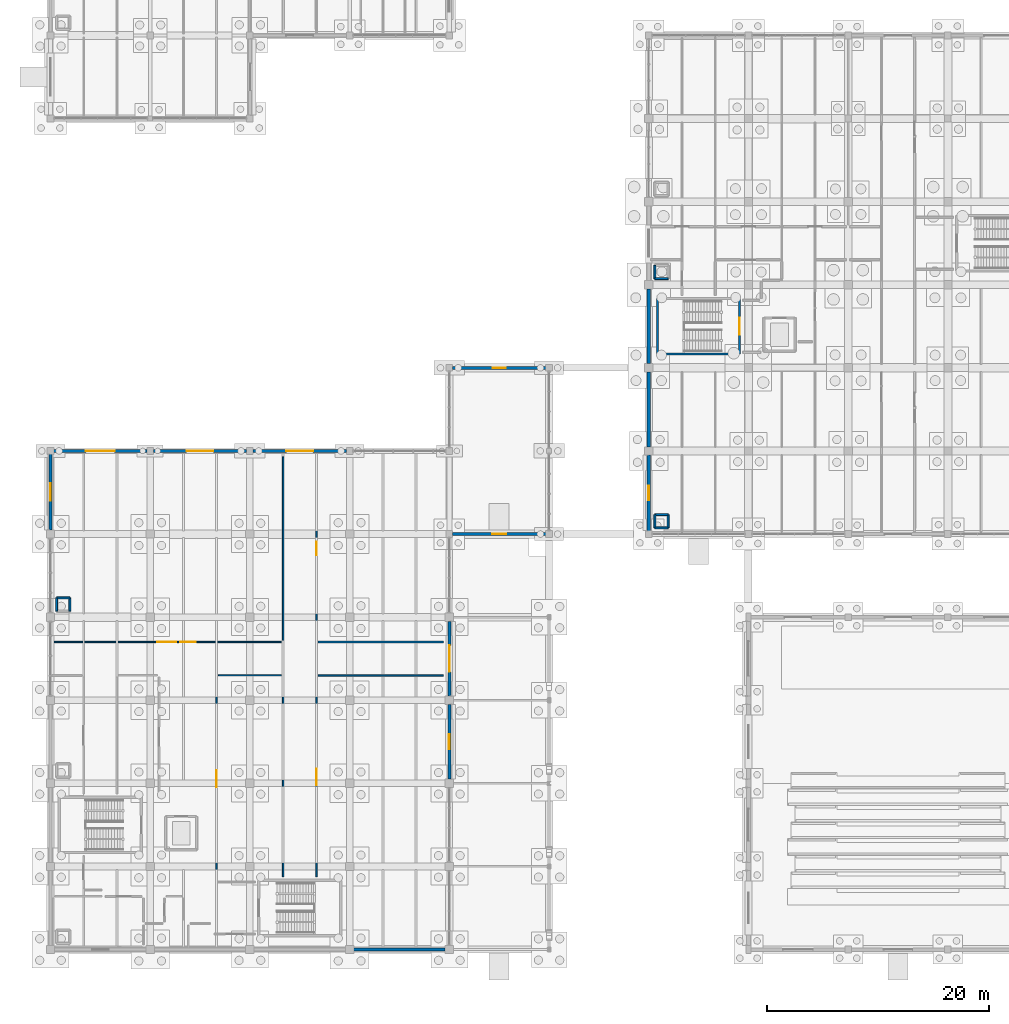
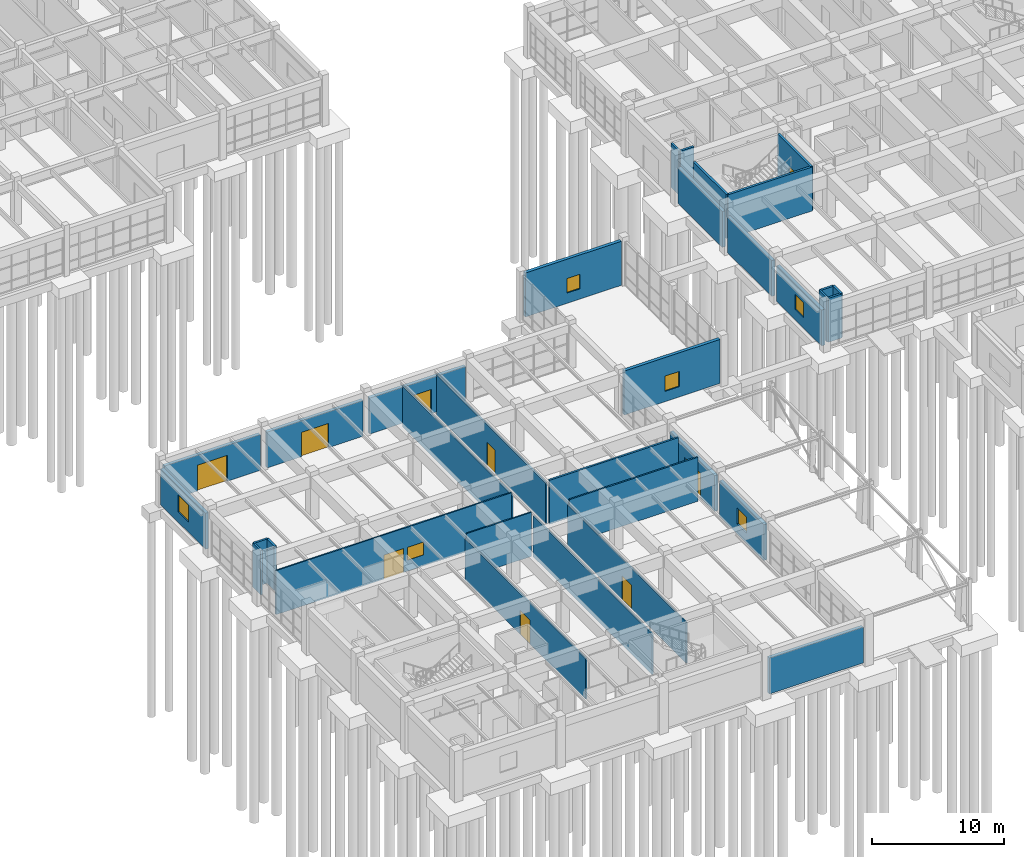
# One storey, part 79 of 93: 33 walls, 9 doors, 6 windows, 15 openings.
"""IFC4 building model written with IfcOpenShell, lengths in metres."""

from ifc_helpers import new_model, si_unit, direction, frame, frame_2d, origin, place, context, subcontext, project, spatial, rectangle, extrude, material, layer, layer_set, type_object, element, fill, save


model = new_model("IFC4")

# Units and contexts
model_context = context("Model", 3, precision=1e-05, world=origin(), true_north=direction((0.0, 1.0)))
body_context = subcontext(model_context, "Body", "Model", "MODEL_VIEW")
ifc_project = project(units=[si_unit("LENGTHUNIT", "METRE"), si_unit("AREAUNIT", "SQUARE_METRE"), si_unit("VOLUMEUNIT", "CUBIC_METRE"), si_unit("PLANEANGLEUNIT", "RADIAN"), si_unit("MASSUNIT", "GRAM", prefix="KILO")], contexts=[model_context])

# Site, building, storey
site_placement = place(None, origin())
site = spatial("IfcSite", under=ifc_project, at=site_placement, CompositionType="ELEMENT")
building_placement = place(site_placement, origin())
building = spatial("IfcBuilding", under=site, at=building_placement, Name="Marnridge Secondary College", CompositionType="ELEMENT")
storey_placement = place(building_placement, origin())
storey = spatial("IfcBuildingStorey", under=building, at=storey_placement, Name="L00", CompositionType="ELEMENT", Elevation=0.0)

# Wall
ifc_material_1 = material(Name="Concrete C40/50 (AS 3600 N40, 40 MPa)", Category="concrete")
ifc_layer_1 = layer(ifc_material_1, 0.199951171875)
ifc_layer_set_1 = layer_set([ifc_layer_1], Name="WT-CORE-RC200")
wall_type_1 = type_object("IfcWallType", Name="WT-CORE-RC200", PredefinedType="SHEAR", material=ifc_layer_set_1)
wall_1_placement = place(storey_placement, frame((54.800048828125, 53.75, 0.0), z_axis=(0.0, 0.0, 1.0), x_axis=(1.0, 0.0, 0.0)))
element("IfcWall", 1, at=wall_1_placement, inside=storey, type_object=wall_type_1, Name="Stair core shear wall WC-L00-0249", PredefinedType="SHEAR", context=body_context, shape_type="SweptSolid", body=[
    extrude(rectangle(XDim=7.39990234375, YDim=0.199951171875, at=frame_2d((3.699951171875, 0.0))), origin(), (0.0, 0.0, 1.0), 4.080078125),
])

# Wall, opening, door
wall_2_placement = place(storey_placement, frame((62.199951171875, 58.75, 0.0), z_axis=(0.0, 0.0, 1.0), x_axis=(0.0, -1.0, 0.0)))
wall_2 = element("IfcWall", 2, at=wall_2_placement, inside=storey, type_object=wall_type_1, Name="Stair core shear wall WC-L00-0250", PredefinedType="SHEAR", context=body_context, shape_type="SweptSolid", body=[
    extrude(rectangle(XDim=5.0, YDim=0.199951171875, at=frame_2d((2.5, 0.0))), origin(), (0.0, 0.0, 1.0), 4.080078125),
])
opening_1_placement = place(wall_2_placement, frame((1.75, 0.0, 0.0)))
opening_1 = element("IfcOpeningElement", 3, at=opening_1_placement, cuts=wall_2, Name="Opening DC-L00-001", PredefinedType="OPENING", context=body_context, shape_type="SweptSolid", body=[
    extrude(rectangle(XDim=1.5, YDim=2.14990234375, at=frame_2d((0.75, 1.074951171875))), frame((0.0, 0.10986328125, 0.0), z_axis=(0.0, -1.0, 0.0), x_axis=(1.0, 0.0, 0.0)), (0.0, 0.0, 1.0), 0.219970703125),
])
ifc_material_2 = material(Name="Fire-rated solid-core timber doorset", Category="wood")
door_type_1 = type_object("IfcDoorType", Name="DT-CORE-FD150", OperationType="DOUBLE_DOOR_SINGLE_SWING", PredefinedType="DOOR", material=ifc_material_2)
door_1_placement = place(opening_1_placement, origin())
door_1 = element("IfcDoor", 4, at=door_1_placement, inside=storey, type_object=door_type_1, Name="Fire stair door DC-L00-001", OperationType="DOUBLE_DOOR_SINGLE_SWING", OverallHeight=2.14990234375, OverallWidth=1.5, PredefinedType="DOOR", context=body_context, shape_type="SweptSolid", body=[
    extrude(rectangle(XDim=1.5, YDim=2.14990234375, at=frame_2d((0.75, 1.074951171875))), frame((0.0, 0.02490234375, 0.0), z_axis=(0.0, -1.0, 0.0), x_axis=(1.0, 0.0, 0.0)), (0.0, 0.0, 1.0), 0.050048828125),
])
fill(opening_1, door_1)

# Wall
wall_3_placement = place(storey_placement, frame((54.800048828125, 58.75, 0.0), z_axis=(0.0, 0.0, 1.0), x_axis=(0.0, -1.0, 0.0)))
element("IfcWall", 5, at=wall_3_placement, inside=storey, type_object=wall_type_1, Name="Stair core shear wall WC-L00-0252", PredefinedType="SHEAR", context=body_context, shape_type="SweptSolid", body=[
    extrude(rectangle(XDim=5.0, YDim=0.199951171875, at=frame_2d((2.5, 0.0))), origin(), (0.0, 0.0, 1.0), 4.080078125),
])

# Wall, opening, window
ifc_material_3 = material(Name="Concrete C40/50 (AS 3600 N40, 40 MPa)", Category="concrete")
ifc_layer_2 = layer(ifc_material_3, 0.280029296875)
ifc_layer_set_2 = layer_set([ifc_layer_2], Name="WT-EXT-RC280")
wall_type_2 = type_object("IfcWallType", Name="WT-EXT-RC280", PredefinedType="SOLIDWALL", material=ifc_layer_set_2)
wall_4_placement = place(storey_placement, frame((54.0, 37.7958984375, 0.0), z_axis=(0.0, 0.0, 1.0), x_axis=(0.0, 1.0, 0.0)))
wall_4 = element("IfcWall", 6, at=wall_4_placement, inside=storey, type_object=wall_type_2, Name="Exterior wall WE-L00-0009", PredefinedType="SOLIDWALL", context=body_context, shape_type="SweptSolid", body=[
    extrude(rectangle(XDim=6.8330078125, YDim=0.280029296875, at=frame_2d((3.41650390625, 0.0))), origin(), (0.0, 0.0, 1.0), 3.322021484375),
])
opening_2_placement = place(wall_4_placement, frame((2.776611328125, 0.0, 0.949951171875)))
opening_2 = element("IfcOpeningElement", 7, at=opening_2_placement, cuts=wall_4, Name="Opening WN-L00-0002", PredefinedType="OPENING", context=body_context, shape_type="SweptSolid", body=[
    extrude(rectangle(XDim=1.280029296875, YDim=1.419921875, at=frame_2d((0.64013671875, 0.7099609375))), frame((0.0, 0.14990234375, 0.0), z_axis=(0.0, -1.0, 0.0), x_axis=(1.0, 0.0, 0.0)), (0.0, 0.0, 1.0), 0.300048828125),
])
ifc_material_4 = material(Name="Solar-control low-E double glazing", Category="glass")
window_type_1 = type_object("IfcWindowType", Name="WN-EXT-V02", PartitioningType="DOUBLE_PANEL_VERTICAL", PredefinedType="WINDOW", material=ifc_material_4)
window_1_placement = place(opening_2_placement, origin())
window_1 = element("IfcWindow", 8, at=window_1_placement, inside=storey, type_object=window_type_1, Name="Facade window WN-L00-0002", OverallHeight=1.419921875, OverallWidth=1.280029296875, PartitioningType="DOUBLE_PANEL_VERTICAL", PredefinedType="WINDOW", context=body_context, shape_type="SweptSolid", body=[
    extrude(rectangle(XDim=1.280029296875, YDim=1.419921875, at=frame_2d((0.64013671875, 0.7099609375))), frame((0.0, 0.030029296875, 0.0), z_axis=(0.0, -1.0, 0.0), x_axis=(1.0, 0.0, 0.0)), (0.0, 0.0, 1.0), 0.06005859375),
])
fill(opening_2, window_1)

# Walls
for number, where, z_axis, x_axis, name in (
    (9, (54.0, 45.37109375, 0.0), (0.0, 0.0, 1.0), (0.0, 1.0, 0.0), "Exterior wall WE-L00-0010"),
    (10, (54.0, 52.87109375, 0.0), (0.0, 0.0, 1.0), (0.0, 1.0, 0.0), "Exterior wall WE-L00-0011"),
):
    element("IfcWall", number, at=place(storey_placement, frame(where, z_axis=z_axis, x_axis=x_axis)), inside=storey, type_object=wall_type_2, Name=name, PredefinedType="SOLIDWALL", context=body_context, shape_type="SweptSolid", body=[
        extrude(rectangle(XDim=6.7578125, YDim=0.280029296875, at=frame_2d((3.37890625, 0.0))), origin(), (0.0, 0.0, 1.0), 3.322021484375),
    ])

# Wall, opening, door
wall_5_placement = place(storey_placement, frame((0.2958984375, 45.0, 0.0), z_axis=(0.0, 0.0, 1.0), x_axis=(1.0, 0.0, 0.0)))
wall_5 = element("IfcWall", 11, at=wall_5_placement, inside=storey, type_object=wall_type_2, Name="Exterior wall WE-L00-0067", PredefinedType="SOLIDWALL", context=body_context, shape_type="SweptSolid", body=[
    extrude(rectangle(XDim=8.408203125, YDim=0.280029296875, at=frame_2d((4.2041015625, 0.0))), origin(), (0.0, 0.0, 1.0), 3.33203125),
])
opening_3_placement = place(wall_5_placement, frame((2.904052734375, 0.0, 0.0)))
opening_3 = element("IfcOpeningElement", 12, at=opening_3_placement, cuts=wall_5, Name="Opening DE-L00-022", PredefinedType="OPENING", context=body_context, shape_type="SweptSolid", body=[
    extrude(rectangle(XDim=2.60009765625, YDim=2.39990234375, at=frame_2d((1.300048828125, 1.199951171875))), frame((0.0, 0.14990234375, 0.0), z_axis=(0.0, -1.0, 0.0), x_axis=(1.0, 0.0, 0.0)), (0.0, 0.0, 1.0), 0.300048828125),
])
ifc_material_5 = material(Name="Bronze-anodised aluminium civic entrance doorset", Category="aluminium")
door_type_2 = type_object("IfcDoorType", Name="DT-EXT-MAIN260", OperationType="DOUBLE_DOOR_SINGLE_SWING", PredefinedType="DOOR", material=ifc_material_5)
door_2_placement = place(opening_3_placement, origin())
door_2 = element("IfcDoor", 13, at=door_2_placement, inside=storey, type_object=door_type_2, Name="Civic entrance exit door DE-L00-022", OperationType="DOUBLE_DOOR_SINGLE_SWING", OverallHeight=2.39990234375, OverallWidth=2.60009765625, PredefinedType="DOOR", context=body_context, shape_type="SweptSolid", body=[
    extrude(rectangle(XDim=2.60009765625, YDim=2.39990234375, at=frame_2d((1.300048828125, 1.199951171875))), frame((0.0, 0.02490234375, 0.0), z_axis=(0.0, -1.0, 0.0), x_axis=(1.0, 0.0, 0.0)), (0.0, 0.0, 1.0), 0.050048828125),
])
fill(opening_3, door_2)

wall_6_placement = place(storey_placement, frame((9.2958984375, 45.0, 0.0), z_axis=(0.0, 0.0, 1.0), x_axis=(1.0, 0.0, 0.0)))
wall_6 = element("IfcWall", 14, at=wall_6_placement, inside=storey, type_object=wall_type_2, Name="Exterior wall WE-L00-0068", PredefinedType="SOLIDWALL", context=body_context, shape_type="SweptSolid", body=[
    extrude(rectangle(XDim=8.408203125, YDim=0.280029296875, at=frame_2d((4.2041015625, 0.0))), origin(), (0.0, 0.0, 1.0), 3.33203125),
])
opening_4_placement = place(wall_6_placement, frame((3.00390625, 0.0, 0.0)))
opening_4 = element("IfcOpeningElement", 15, at=opening_4_placement, cuts=wall_6, Name="Opening DE-L00-023", PredefinedType="OPENING", context=body_context, shape_type="SweptSolid", body=[
    extrude(rectangle(XDim=2.39990234375, YDim=2.25, at=frame_2d((1.199951171875, 1.125))), frame((0.0, 0.14990234375, 0.0), z_axis=(0.0, -1.0, 0.0), x_axis=(1.0, 0.0, 0.0)), (0.0, 0.0, 1.0), 0.300048828125),
])
ifc_material_6 = material(Name="Thermally broken aluminium and toughened glass", Category="aluminium")
door_type_3 = type_object("IfcDoorType", Name="DT-EXT-EXIT240", OperationType="DOUBLE_DOOR_SINGLE_SWING", PredefinedType="DOOR", material=ifc_material_6)
door_3_placement = place(opening_4_placement, origin())
door_3 = element("IfcDoor", 16, at=door_3_placement, inside=storey, type_object=door_type_3, Name="Civic entrance exit door DE-L00-023", OperationType="DOUBLE_DOOR_SINGLE_SWING", OverallHeight=2.25, OverallWidth=2.39990234375, PredefinedType="DOOR", context=body_context, shape_type="SweptSolid", body=[
    extrude(rectangle(XDim=2.39990234375, YDim=2.25, at=frame_2d((1.199951171875, 1.125))), frame((0.0, 0.02490234375, 0.0), z_axis=(0.0, -1.0, 0.0), x_axis=(1.0, 0.0, 0.0)), (0.0, 0.0, 1.0), 0.050048828125),
])
fill(opening_4, door_3)

wall_7_placement = place(storey_placement, frame((18.2958984375, 45.0, 0.0), z_axis=(0.0, 0.0, 1.0), x_axis=(1.0, 0.0, 0.0)))
wall_7 = element("IfcWall", 17, at=wall_7_placement, inside=storey, type_object=wall_type_2, Name="Exterior wall WE-L00-0069", PredefinedType="SOLIDWALL", context=body_context, shape_type="SweptSolid", body=[
    extrude(rectangle(XDim=8.408203125, YDim=0.280029296875, at=frame_2d((4.2041015625, 0.0))), origin(), (0.0, 0.0, 1.0), 3.33203125),
])
opening_5_placement = place(wall_7_placement, frame((3.00390625, 0.0, 0.0)))
opening_5 = element("IfcOpeningElement", 18, at=opening_5_placement, cuts=wall_7, Name="Opening DE-L00-024", PredefinedType="OPENING", context=body_context, shape_type="SweptSolid", body=[
    extrude(rectangle(XDim=2.39990234375, YDim=2.25, at=frame_2d((1.199951171875, 1.125))), frame((0.0, 0.14990234375, 0.0), z_axis=(0.0, -1.0, 0.0), x_axis=(1.0, 0.0, 0.0)), (0.0, 0.0, 1.0), 0.300048828125),
])
door_4_placement = place(opening_5_placement, origin())
door_4 = element("IfcDoor", 19, at=door_4_placement, inside=storey, type_object=door_type_3, Name="Civic entrance exit door DE-L00-024", OperationType="DOUBLE_DOOR_SINGLE_SWING", OverallHeight=2.25, OverallWidth=2.39990234375, PredefinedType="DOOR", context=body_context, shape_type="SweptSolid", body=[
    extrude(rectangle(XDim=2.39990234375, YDim=2.25, at=frame_2d((1.199951171875, 1.125))), frame((0.0, 0.02490234375, 0.0), z_axis=(0.0, -1.0, 0.0), x_axis=(1.0, 0.0, 0.0)), (0.0, 0.0, 1.0), 0.050048828125),
])
fill(opening_5, door_4)

# Wall, opening, window
wall_8_placement = place(storey_placement, frame((36.2958984375, 52.5, 0.0), z_axis=(0.0, 0.0, 1.0), x_axis=(1.0, 0.0, 0.0)))
wall_8 = element("IfcWall", 20, at=wall_8_placement, inside=storey, type_object=wall_type_2, Name="Exterior wall WE-L00-0070", PredefinedType="SOLIDWALL", context=body_context, shape_type="SweptSolid", body=[
    extrude(rectangle(XDim=8.408203125, YDim=0.280029296875, at=frame_2d((4.2041015625, 0.0))), origin(), (0.0, 0.0, 1.0), 4.090087890625),
])
opening_6_placement = place(wall_8_placement, frame((3.62890625, 0.0, 0.949951171875)))
opening_6 = element("IfcOpeningElement", 21, at=opening_6_placement, cuts=wall_8, Name="Opening WN-L00-0023", PredefinedType="OPENING", context=body_context, shape_type="SweptSolid", body=[
    extrude(rectangle(XDim=1.14990234375, YDim=1.35009765625, at=frame_2d((0.574951171875, 0.675048828125))), frame((0.0, 0.14990234375, 0.0), z_axis=(0.0, -1.0, 0.0), x_axis=(1.0, 0.0, 0.0)), (0.0, 0.0, 1.0), 0.300048828125),
])
ifc_material_7 = material(Name="Solar-control low-E double glazing", Category="glass")
window_type_2 = type_object("IfcWindowType", Name="WN-EXT-V01", PartitioningType="DOUBLE_PANEL_VERTICAL", PredefinedType="WINDOW", material=ifc_material_7)
window_2_placement = place(opening_6_placement, origin())
window_2 = element("IfcWindow", 22, at=window_2_placement, inside=storey, type_object=window_type_2, Name="Facade window WN-L00-0023", OverallHeight=1.35009765625, OverallWidth=1.14990234375, PartitioningType="DOUBLE_PANEL_VERTICAL", PredefinedType="WINDOW", context=body_context, shape_type="SweptSolid", body=[
    extrude(rectangle(XDim=1.14990234375, YDim=1.35009765625, at=frame_2d((0.574951171875, 0.675048828125))), frame((0.0, 0.030029296875, 0.0), z_axis=(0.0, -1.0, 0.0), x_axis=(1.0, 0.0, 0.0)), (0.0, 0.0, 1.0), 0.06005859375),
])
fill(opening_6, window_2)

wall_9_placement = place(storey_placement, frame((44.7041015625, 37.5, 0.0), z_axis=(0.0, 0.0, 1.0), x_axis=(-1.0, 0.0, 0.0)))
wall_9 = element("IfcWall", 23, at=wall_9_placement, inside=storey, type_object=wall_type_2, Name="Exterior wall WE-L00-0071", PredefinedType="SOLIDWALL", context=body_context, shape_type="SweptSolid", body=[
    extrude(rectangle(XDim=8.408203125, YDim=0.280029296875, at=frame_2d((4.2041015625, 0.0))), origin(), (0.0, 0.0, 1.0), 4.090087890625),
])
opening_7_placement = place(wall_9_placement, frame((3.56396484375, 0.0, 0.949951171875)))
opening_7 = element("IfcOpeningElement", 24, at=opening_7_placement, cuts=wall_9, Name="Opening WN-L00-0024", PredefinedType="OPENING", context=body_context, shape_type="SweptSolid", body=[
    extrude(rectangle(XDim=1.280029296875, YDim=1.419921875, at=frame_2d((0.64013671875, 0.7099609375))), frame((0.0, 0.14990234375, 0.0), z_axis=(0.0, -1.0, 0.0), x_axis=(1.0, 0.0, 0.0)), (0.0, 0.0, 1.0), 0.300048828125),
])
window_3_placement = place(opening_7_placement, origin())
window_3 = element("IfcWindow", 25, at=window_3_placement, inside=storey, type_object=window_type_1, Name="Facade window WN-L00-0024", OverallHeight=1.419921875, OverallWidth=1.280029296875, PartitioningType="DOUBLE_PANEL_VERTICAL", PredefinedType="WINDOW", context=body_context, shape_type="SweptSolid", body=[
    extrude(rectangle(XDim=1.280029296875, YDim=1.419921875, at=frame_2d((0.64013671875, 0.7099609375))), frame((0.0, 0.030029296875, 0.0), z_axis=(0.0, -1.0, 0.0), x_axis=(1.0, 0.0, 0.0)), (0.0, 0.0, 1.0), 0.06005859375),
])
fill(opening_7, window_3)

# Wall, opening, door
wall_10_placement = place(storey_placement, frame((36.0, 29.62890625, 0.0), z_axis=(0.0, 0.0, 1.0), x_axis=(0.0, -1.0, 0.0)))
wall_10 = element("IfcWall", 26, at=wall_10_placement, inside=storey, type_object=wall_type_2, Name="Exterior wall WE-L00-0072", PredefinedType="SOLIDWALL", context=body_context, shape_type="SweptSolid", body=[
    extrude(rectangle(XDim=6.7578125, YDim=0.280029296875, at=frame_2d((3.37890625, 0.0))), origin(), (0.0, 0.0, 1.0), 3.33203125),
])
opening_8_placement = place(wall_10_placement, frame((2.178955078125, 0.0, 0.0)))
opening_8 = element("IfcOpeningElement", 27, at=opening_8_placement, cuts=wall_10, Name="Opening DE-L00-025", PredefinedType="OPENING", context=body_context, shape_type="SweptSolid", body=[
    extrude(rectangle(XDim=2.39990234375, YDim=2.25, at=frame_2d((1.199951171875, 1.125))), frame((0.0, 0.14990234375, 0.0), z_axis=(0.0, -1.0, 0.0), x_axis=(1.0, 0.0, 0.0)), (0.0, 0.0, 1.0), 0.300048828125),
])
door_5_placement = place(opening_8_placement, origin())
door_5 = element("IfcDoor", 28, at=door_5_placement, inside=storey, type_object=door_type_3, Name="Civic entrance exit door DE-L00-025", OperationType="DOUBLE_DOOR_SINGLE_SWING", OverallHeight=2.25, OverallWidth=2.39990234375, PredefinedType="DOOR", context=body_context, shape_type="SweptSolid", body=[
    extrude(rectangle(XDim=2.39990234375, YDim=2.25, at=frame_2d((1.199951171875, 1.125))), frame((0.0, 0.02490234375, 0.0), z_axis=(0.0, -1.0, 0.0), x_axis=(1.0, 0.0, 0.0)), (0.0, 0.0, 1.0), 0.050048828125),
])
fill(opening_8, door_5)

# Wall, opening, window
wall_11_placement = place(storey_placement, frame((36.0, 22.12890625, 0.0), z_axis=(0.0, 0.0, 1.0), x_axis=(0.0, -1.0, 0.0)))
wall_11 = element("IfcWall", 29, at=wall_11_placement, inside=storey, type_object=wall_type_2, Name="Exterior wall WE-L00-0073", PredefinedType="SOLIDWALL", context=body_context, shape_type="SweptSolid", body=[
    extrude(rectangle(XDim=6.7578125, YDim=0.280029296875, at=frame_2d((3.37890625, 0.0))), origin(), (0.0, 0.0, 1.0), 3.33203125),
])
opening_9_placement = place(wall_11_placement, frame((2.68896484375, 0.0, 0.949951171875)))
opening_9 = element("IfcOpeningElement", 30, at=opening_9_placement, cuts=wall_11, Name="Opening WN-L00-0025", PredefinedType="OPENING", context=body_context, shape_type="SweptSolid", body=[
    extrude(rectangle(XDim=1.3798828125, YDim=1.47998046875, at=frame_2d((0.68994140625, 0.739990234375))), frame((0.0, 0.14990234375, 0.0), z_axis=(0.0, -1.0, 0.0), x_axis=(1.0, 0.0, 0.0)), (0.0, 0.0, 1.0), 0.300048828125),
])
ifc_material_8 = material(Name="Solar-control low-E double glazing", Category="glass")
window_type_3 = type_object("IfcWindowType", Name="WN-EXT-V03", PartitioningType="DOUBLE_PANEL_VERTICAL", PredefinedType="WINDOW", material=ifc_material_8)
window_4_placement = place(opening_9_placement, origin())
window_4 = element("IfcWindow", 31, at=window_4_placement, inside=storey, type_object=window_type_3, Name="Facade window WN-L00-0025", OverallHeight=1.47998046875, OverallWidth=1.3798828125, PartitioningType="DOUBLE_PANEL_VERTICAL", PredefinedType="WINDOW", context=body_context, shape_type="SweptSolid", body=[
    extrude(rectangle(XDim=1.3798828125, YDim=1.47998046875, at=frame_2d((0.68994140625, 0.739990234375))), frame((0.0, 0.030029296875, 0.0), z_axis=(0.0, -1.0, 0.0), x_axis=(1.0, 0.0, 0.0)), (0.0, 0.0, 1.0), 0.06005859375),
])
fill(opening_9, window_4)

# Wall
wall_12_placement = place(storey_placement, frame((35.62890625, 0.0, 0.0), z_axis=(0.0, 0.0, 1.0), x_axis=(-1.0, 0.0, 0.0)))
element("IfcWall", 32, at=wall_12_placement, inside=storey, type_object=wall_type_2, Name="Exterior wall WE-L00-0074", PredefinedType="SOLIDWALL", context=body_context, shape_type="SweptSolid", body=[
    extrude(rectangle(XDim=8.2578125, YDim=0.280029296875, at=frame_2d((4.12890625, 0.0))), origin(), (0.0, 0.0, 1.0), 3.33203125),
])

# Wall, opening, window
wall_13_placement = place(storey_placement, frame((0.0, 37.87109375, 0.0), z_axis=(0.0, 0.0, 1.0), x_axis=(0.0, 1.0, 0.0)))
wall_13 = element("IfcWall", 33, at=wall_13_placement, inside=storey, type_object=wall_type_2, Name="Exterior wall WE-L00-0081", PredefinedType="SOLIDWALL", context=body_context, shape_type="SweptSolid", body=[
    extrude(rectangle(XDim=6.8330078125, YDim=0.280029296875, at=frame_2d((3.41650390625, 0.0))), origin(), (0.0, 0.0, 1.0), 3.33203125),
])
opening_10_placement = place(wall_13_placement, frame((2.62646484375, 0.0, 0.949951171875)))
opening_10 = element("IfcOpeningElement", 34, at=opening_10_placement, cuts=wall_13, Name="Opening WN-L00-0027", PredefinedType="OPENING", context=body_context, shape_type="SweptSolid", body=[
    extrude(rectangle(XDim=1.580078125, YDim=1.56005859375, at=frame_2d((0.7900390625, 0.780029296875))), frame((0.0, 0.14990234375, 0.0), z_axis=(0.0, -1.0, 0.0), x_axis=(1.0, 0.0, 0.0)), (0.0, 0.0, 1.0), 0.300048828125),
])
ifc_material_9 = material(Name="Solar-control low-E double glazing", Category="glass")
window_type_4 = type_object("IfcWindowType", Name="WN-EXT-V05", PartitioningType="DOUBLE_PANEL_VERTICAL", PredefinedType="WINDOW", material=ifc_material_9)
window_5_placement = place(opening_10_placement, origin())
window_5 = element("IfcWindow", 35, at=window_5_placement, inside=storey, type_object=window_type_4, Name="Facade window WN-L00-0027", OverallHeight=1.56005859375, OverallWidth=1.580078125, PartitioningType="DOUBLE_PANEL_VERTICAL", PredefinedType="WINDOW", context=body_context, shape_type="SweptSolid", body=[
    extrude(rectangle(XDim=1.580078125, YDim=1.56005859375, at=frame_2d((0.7900390625, 0.780029296875))), frame((0.0, 0.030029296875, 0.0), z_axis=(0.0, -1.0, 0.0), x_axis=(1.0, 0.0, 0.0)), (0.0, 0.0, 1.0), 0.06005859375),
])
fill(opening_10, window_5)

# Wall, opening, door
ifc_material_10 = material(Name="Acoustic plasterboard partition Rw45", Category="gypsum")
ifc_layer_3 = layer(ifc_material_10, 0.1201171875)
ifc_layer_set_3 = layer_set([ifc_layer_3], Name="WT-PART-AC120")
wall_type_3 = type_object("IfcWallType", Name="WT-PART-AC120", PredefinedType="PARTITIONING", material=ifc_layer_set_3)
wall_14_placement = place(storey_placement, frame((24.0, 24.590087890625, 0.0), z_axis=(0.0, 0.0, 1.0), x_axis=(0.0, -1.0, 0.0)))
wall_14 = element("IfcWall", 36, at=wall_14_placement, inside=storey, type_object=wall_type_3, Name="Interior partition WP-L00-0111", PredefinedType="PARTITIONING", context=body_context, shape_type="SweptSolid", body=[
    extrude(rectangle(XDim=18.0400390625, YDim=0.1201171875, at=frame_2d((9.02001953125, 0.0))), origin(), (0.0, 0.0, 1.0), 3.77490234375),
])
opening_11_placement = place(wall_14_placement, frame((8.280029296875, 0.0, 0.0)))
opening_11 = element("IfcOpeningElement", 37, at=opening_11_placement, cuts=wall_14, Name="Opening DI-L00-0038", PredefinedType="OPENING", context=body_context, shape_type="SweptSolid", body=[
    extrude(rectangle(XDim=1.47998046875, YDim=2.199951171875, at=frame_2d((0.739990234375, 1.10009765625))), frame((0.0, 0.070068359375, 0.0), z_axis=(0.0, -1.0, 0.0), x_axis=(1.0, 0.0, 0.0)), (0.0, 0.0, 1.0), 0.14013671875),
])
ifc_material_11 = material(Name="Solid-core acoustic hoop-pine classroom doorset", Category="wood")
door_type_4 = type_object("IfcDoorType", Name="DT-RM-VAR14", OperationType="NOTDEFINED", PredefinedType="DOOR", material=ifc_material_11)
door_6_placement = place(opening_11_placement, origin())
door_6 = element("IfcDoor", 38, at=door_6_placement, inside=storey, type_object=door_type_4, Name="Interior door DI-L00-0038", OperationType="SINGLE_SWING_RIGHT", OverallHeight=2.199951171875, OverallWidth=1.47998046875, PredefinedType="DOOR", context=body_context, shape_type="SweptSolid", body=[
    extrude(rectangle(XDim=1.47998046875, YDim=2.199951171875, at=frame_2d((0.739990234375, 1.10009765625))), frame((0.0, 0.02490234375, 0.0), z_axis=(0.0, -1.0, 0.0), x_axis=(1.0, 0.0, 0.0)), (0.0, 0.0, 1.0), 0.050048828125),
])
fill(opening_11, door_6)

# Wall
wall_15_placement = place(storey_placement, frame((20.840087890625, 24.75, 0.0), z_axis=(0.0, 0.0, 1.0), x_axis=(-1.0, 0.0, 0.0)))
element("IfcWall", 39, at=wall_15_placement, inside=storey, type_object=wall_type_3, Name="Interior partition WP-L00-0113", PredefinedType="PARTITIONING", context=body_context, shape_type="SweptSolid", body=[
    extrude(rectangle(XDim=5.68017578125, YDim=0.1201171875, at=frame_2d((2.840087890625, 0.0))), origin(), (0.0, 0.0, 1.0), 4.090087890625),
])

# Wall, openings, door, window
wall_16_placement = place(storey_placement, frame((0.159912109375, 27.75, 0.0), z_axis=(0.0, 0.0, 1.0), x_axis=(1.0, 0.0, 0.0)))
wall_16 = element("IfcWall", 40, at=wall_16_placement, inside=storey, type_object=wall_type_3, Name="Interior partition WP-L00-0121", PredefinedType="PARTITIONING", context=body_context, shape_type="SweptSolid", body=[
    extrude(rectangle(XDim=20.68017578125, YDim=0.1201171875, at=frame_2d((10.340087890625, 0.0))), origin(), (0.0, 0.0, 1.0), 4.090087890625),
])
opening_12_placement = place(wall_16_placement, frame((9.489990234375, 0.0, 0.0)))
opening_12 = element("IfcOpeningElement", 41, at=opening_12_placement, cuts=wall_16, Name="Opening DI-L00-0042", PredefinedType="OPENING", context=body_context, shape_type="SweptSolid", body=[
    extrude(rectangle(XDim=1.699951171875, YDim=2.219970703125, at=frame_2d((0.85009765625, 1.10986328125))), frame((0.0, 0.070068359375, 0.0), z_axis=(0.0, -1.0, 0.0), x_axis=(1.0, 0.0, 0.0)), (0.0, 0.0, 1.0), 0.14013671875),
])
opening_13_placement = place(wall_16_placement, frame((11.5400390625, 0.0, 1.02001953125)))
opening_13 = element("IfcOpeningElement", 42, at=opening_13_placement, cuts=wall_16, Name="Opening WNI-L00-006", PredefinedType="OPENING", context=body_context, shape_type="SweptSolid", body=[
    extrude(rectangle(XDim=1.39990234375, YDim=1.199951171875, at=frame_2d((0.699951171875, 0.60009765625))), frame((0.0, 0.070068359375, 0.0), z_axis=(0.0, -1.0, 0.0), x_axis=(1.0, 0.0, 0.0)), (0.0, 0.0, 1.0), 0.14013671875),
])
ifc_material_12 = material(Name="Solid-core acoustic hoop-pine classroom doorset", Category="wood")
door_type_5 = type_object("IfcDoorType", Name="DT-RM-VAR18", OperationType="NOTDEFINED", PredefinedType="DOOR", material=ifc_material_12)
door_7_placement = place(opening_12_placement, origin())
door_7 = element("IfcDoor", 43, at=door_7_placement, inside=storey, type_object=door_type_5, Name="Interior door DI-L00-0042", OperationType="SINGLE_SWING_RIGHT", OverallHeight=2.219970703125, OverallWidth=1.699951171875, PredefinedType="DOOR", context=body_context, shape_type="SweptSolid", body=[
    extrude(rectangle(XDim=1.699951171875, YDim=2.219970703125, at=frame_2d((0.85009765625, 1.10986328125))), frame((0.0, 0.02490234375, 0.0), z_axis=(0.0, -1.0, 0.0), x_axis=(1.0, 0.0, 0.0)), (0.0, 0.0, 1.0), 0.050048828125),
])
fill(opening_12, door_7)
ifc_material_13 = material(Name="Acoustic laminated interior vision glazing", Category="glass")
window_type_5 = type_object("IfcWindowType", Name="WN-BL-VAR06", PartitioningType="DOUBLE_PANEL_VERTICAL", PredefinedType="WINDOW", material=ifc_material_13)
window_6_placement = place(opening_13_placement, origin())
window_6 = element("IfcWindow", 44, at=window_6_placement, inside=storey, type_object=window_type_5, Name="Interior vision window WNI-L00-006", OverallHeight=1.199951171875, OverallWidth=1.39990234375, PartitioningType="DOUBLE_PANEL_VERTICAL", PredefinedType="WINDOW", context=body_context, shape_type="SweptSolid", body=[
    extrude(rectangle(XDim=1.39990234375, YDim=1.199951171875, at=frame_2d((0.699951171875, 0.60009765625))), frame((0.0, 0.030029296875, 0.0), z_axis=(0.0, -1.0, 0.0), x_axis=(1.0, 0.0, 0.0)), (0.0, 0.0, 1.0), 0.06005859375),
])
fill(opening_13, window_6)

# Walls
ifc_material_14 = material(Name="Acoustic plasterboard partition Rw48", Category="gypsum")
ifc_layer_4 = layer(ifc_material_14, 0.135009765625)
ifc_layer_set_4 = layer_set([ifc_layer_4], Name="WT-PART-AC135")
wall_type_4 = type_object("IfcWallType", Name="WT-PART-AC135", PredefinedType="PARTITIONING", material=ifc_layer_set_4)
wall_17_placement = place(storey_placement, frame((35.456787109375, 24.75, 0.0), z_axis=(0.0, 0.0, 1.0), x_axis=(-1.0, 0.0, 0.0)))
element("IfcWall", 45, at=wall_17_placement, inside=storey, type_object=wall_type_4, Name="Interior partition WP-L00-0110", PredefinedType="PARTITIONING", context=body_context, shape_type="SweptSolid", body=[
    extrude(rectangle(XDim=11.296875, YDim=0.135009765625, at=frame_2d((5.6484375, 0.0))), origin(), (0.0, 0.0, 1.0), 4.090087890625),
])
wall_18_placement = place(storey_placement, frame((21.0, 6.550048828125, 0.0), z_axis=(0.0, 0.0, 1.0), x_axis=(0.0, 1.0, 0.0)))
element("IfcWall", 46, at=wall_18_placement, inside=storey, type_object=wall_type_4, Name="Interior partition WP-L00-0112", PredefinedType="PARTITIONING", context=body_context, shape_type="SweptSolid", body=[
    extrude(rectangle(XDim=18.0400390625, YDim=0.135009765625, at=frame_2d((9.02001953125, 0.0))), origin(), (0.0, 0.0, 1.0), 3.77490234375),
])

# Wall, opening, door
wall_19_placement = place(storey_placement, frame((15.0, 24.590087890625, 0.0), z_axis=(0.0, 0.0, 1.0), x_axis=(0.0, -1.0, 0.0)))
wall_19 = element("IfcWall", 47, at=wall_19_placement, inside=storey, type_object=wall_type_4, Name="Interior partition WP-L00-0114", PredefinedType="PARTITIONING", context=body_context, shape_type="SweptSolid", body=[
    extrude(rectangle(XDim=18.330078125, YDim=0.135009765625, at=frame_2d((9.1650390625, 0.0))), origin(), (0.0, 0.0, 1.0), 3.77490234375),
])
opening_14_placement = place(wall_19_placement, frame((8.39501953125, 0.0, 0.0)))
opening_14 = element("IfcOpeningElement", 48, at=opening_14_placement, cuts=wall_19, Name="Opening DI-L00-0039", PredefinedType="OPENING", context=body_context, shape_type="SweptSolid", body=[
    extrude(rectangle(XDim=1.5400390625, YDim=2.199951171875, at=frame_2d((0.77001953125, 1.10009765625))), frame((0.0, 0.077392578125, 0.0), z_axis=(0.0, -1.0, 0.0), x_axis=(1.0, 0.0, 0.0)), (0.0, 0.0, 1.0), 0.155029296875),
])
ifc_material_15 = material(Name="Solid-core acoustic hoop-pine classroom doorset", Category="wood")
door_type_6 = type_object("IfcDoorType", Name="DT-RM-VAR15", OperationType="NOTDEFINED", PredefinedType="DOOR", material=ifc_material_15)
door_8_placement = place(opening_14_placement, origin())
door_8 = element("IfcDoor", 49, at=door_8_placement, inside=storey, type_object=door_type_6, Name="Interior door DI-L00-0039", OperationType="SINGLE_SWING_LEFT", OverallHeight=2.199951171875, OverallWidth=1.5400390625, PredefinedType="DOOR", context=body_context, shape_type="SweptSolid", body=[
    extrude(rectangle(XDim=1.5400390625, YDim=2.199951171875, at=frame_2d((0.77001953125, 1.10009765625))), frame((0.0, 0.02490234375, 0.0), z_axis=(0.0, -1.0, 0.0), x_axis=(1.0, 0.0, 0.0)), (0.0, 0.0, 1.0), 0.050048828125),
])
fill(opening_14, door_8)

# Wall
wall_20_placement = place(storey_placement, frame((21.0, 27.909912109375, 0.0), z_axis=(0.0, 0.0, 1.0), x_axis=(0.0, 1.0, 0.0)))
element("IfcWall", 50, at=wall_20_placement, inside=storey, type_object=wall_type_4, Name="Interior partition WP-L00-0122", PredefinedType="PARTITIONING", context=body_context, shape_type="SweptSolid", body=[
    extrude(rectangle(XDim=16.546875, YDim=0.135009765625, at=frame_2d((8.2734375, 0.0))), origin(), (0.0, 0.0, 1.0), 3.77490234375),
])

# Wall, opening, door
ifc_material_16 = material(Name="Acoustic plasterboard on steel Grade 350 framing Rw50", Category="steel")
ifc_layer_5 = layer(ifc_material_16, 0.14990234375)
ifc_layer_set_5 = layer_set([ifc_layer_5], Name="WT-PART-AC150")
wall_type_5 = type_object("IfcWallType", Name="WT-PART-AC150", PredefinedType="PARTITIONING", material=ifc_layer_set_5)
wall_21_placement = place(storey_placement, frame((24.0, 44.456787109375, 0.0), z_axis=(0.0, 0.0, 1.0), x_axis=(0.0, -1.0, 0.0)))
wall_21 = element("IfcWall", 51, at=wall_21_placement, inside=storey, type_object=wall_type_5, Name="Interior partition WP-L00-0123", PredefinedType="PARTITIONING", context=body_context, shape_type="SweptSolid", body=[
    extrude(rectangle(XDim=16.546875, YDim=0.14990234375, at=frame_2d((8.2734375, 0.0))), origin(), (0.0, 0.0, 1.0), 3.77490234375),
])
opening_15_placement = place(wall_21_placement, frame((7.67333984375, 0.0, 0.0)))
opening_15 = element("IfcOpeningElement", 52, at=opening_15_placement, cuts=wall_21, Name="Opening DI-L00-0043", PredefinedType="OPENING", context=body_context, shape_type="SweptSolid", body=[
    extrude(rectangle(XDim=1.199951171875, YDim=2.14990234375, at=frame_2d((0.60009765625, 1.074951171875))), frame((0.0, 0.0849609375, 0.0), z_axis=(0.0, -1.0, 0.0), x_axis=(1.0, 0.0, 0.0)), (0.0, 0.0, 1.0), 0.169921875),
])
ifc_material_17 = material(Name="Galvanised steel Grade 350 plant-room fire doorset", Category="steel")
door_type_7 = type_object("IfcDoorType", Name="DT-PLT-120", OperationType="NOTDEFINED", PredefinedType="DOOR", material=ifc_material_17)
door_9_placement = place(opening_15_placement, origin())
door_9 = element("IfcDoor", 53, at=door_9_placement, inside=storey, type_object=door_type_7, Name="Interior door DI-L00-0043", OperationType="SINGLE_SWING_LEFT", OverallHeight=2.14990234375, OverallWidth=1.199951171875, PredefinedType="DOOR", context=body_context, shape_type="SweptSolid", body=[
    extrude(rectangle(XDim=1.199951171875, YDim=2.14990234375, at=frame_2d((0.60009765625, 1.074951171875))), frame((0.0, 0.02490234375, 0.0), z_axis=(0.0, -1.0, 0.0), x_axis=(1.0, 0.0, 0.0)), (0.0, 0.0, 1.0), 0.050048828125),
])
fill(opening_15, door_9)

# Walls
ifc_material_18 = material(Name="Acoustic plasterboard on twin steel Grade 350 framing Rw55", Category="steel")
ifc_layer_6 = layer(ifc_material_18, 0.1650390625)
ifc_layer_set_6 = layer_set([ifc_layer_6], Name="WT-PART-AC165")
wall_type_6 = type_object("IfcWallType", Name="WT-PART-AC165", PredefinedType="PARTITIONING", material=ifc_layer_set_6)
wall_22_placement = place(storey_placement, frame((24.159912109375, 27.75, 0.0), z_axis=(0.0, 0.0, 1.0), x_axis=(1.0, 0.0, 0.0)))
element("IfcWall", 54, at=wall_22_placement, inside=storey, type_object=wall_type_6, Name="Interior partition WP-L00-0124", PredefinedType="PARTITIONING", context=body_context, shape_type="SweptSolid", body=[
    extrude(rectangle(XDim=11.296875, YDim=0.1650390625, at=frame_2d((5.6484375, 0.0))), origin(), (0.0, 0.0, 1.0), 4.090087890625),
])
ifc_material_19 = material(Name="Concrete C40/50 (AS 3600 N40, 40 MPa)", Category="concrete")
ifc_layer_7 = layer(ifc_material_19, 0.179931640625)
ifc_layer_set_7 = layer_set([ifc_layer_7], Name="WT-SHAFT-RC180")
wall_type_7 = type_object("IfcWallType", Name="WT-SHAFT-RC180", PredefinedType="SHEAR", material=ifc_layer_set_7)
for number, where, z_axis, x_axis, name in (
    (55, (55.75, 38.050048828125, 0.0), (0.0, 0.0, 1.0), (-1.0, 0.0, 0.0), "Service riser shaft wall WR-L00-0001"),
    (56, (54.550048828125, 38.050048828125, 0.0), (0.0, 0.0, 1.0), (0.0, 1.0, 0.0), "Service riser shaft wall WR-L00-0002"),
    (57, (54.550048828125, 39.25, 0.0), (0.0, 0.0, 1.0), (1.0, 0.0, 0.0), "Service riser shaft wall WR-L00-0003"),
    (58, (55.75, 39.25, 0.0), (0.0, 0.0, 1.0), (0.0, -1.0, 0.0), "Service riser shaft wall WR-L00-0004"),
    (59, (55.75, 60.550048828125, 0.0), (0.0, 0.0, 1.0), (-1.0, 0.0, 0.0), "Service riser shaft wall WR-L00-0005"),
    (60, (54.550048828125, 60.550048828125, 0.0), (0.0, 0.0, 1.0), (0.0, 1.0, 0.0), "Service riser shaft wall WR-L00-0006"),
):
    element("IfcWall", number, at=place(storey_placement, frame(where, z_axis=z_axis, x_axis=x_axis)), inside=storey, type_object=wall_type_7, Name=name, PredefinedType="SHEAR", context=body_context, shape_type="SweptSolid", body=[
        extrude(rectangle(XDim=1.199951171875, YDim=0.179931640625, at=frame_2d((0.60009765625, 0.0))), origin(), (0.0, 0.0, 1.0), 4.080078125),
    ])
for number, where, z_axis, x_axis, name in (
    (61, (0.550048828125, 30.550048828125, 0.0), (0.0, 0.0, 1.0), (0.0, 1.0, 0.0), "Service riser shaft wall WR-L00-0054"),
    (62, (0.550048828125, 31.75, 0.0), (0.0, 0.0, 1.0), (1.0, 0.0, 0.0), "Service riser shaft wall WR-L00-0055"),
    (63, (1.75, 31.75, 0.0), (0.0, 0.0, 1.0), (0.0, -1.0, 0.0), "Service riser shaft wall WR-L00-0056"),
):
    element("IfcWall", number, at=place(storey_placement, frame(where, z_axis=z_axis, x_axis=x_axis)), inside=storey, type_object=wall_type_7, Name=name, PredefinedType="SHEAR", context=body_context, shape_type="SweptSolid", body=[
        extrude(rectangle(XDim=1.199951171875, YDim=0.179931640625, at=frame_2d((0.60009765625, 0.0))), origin(), (0.0, 0.0, 1.0), 4.090087890625),
    ])

save(model, "model.ifc")
